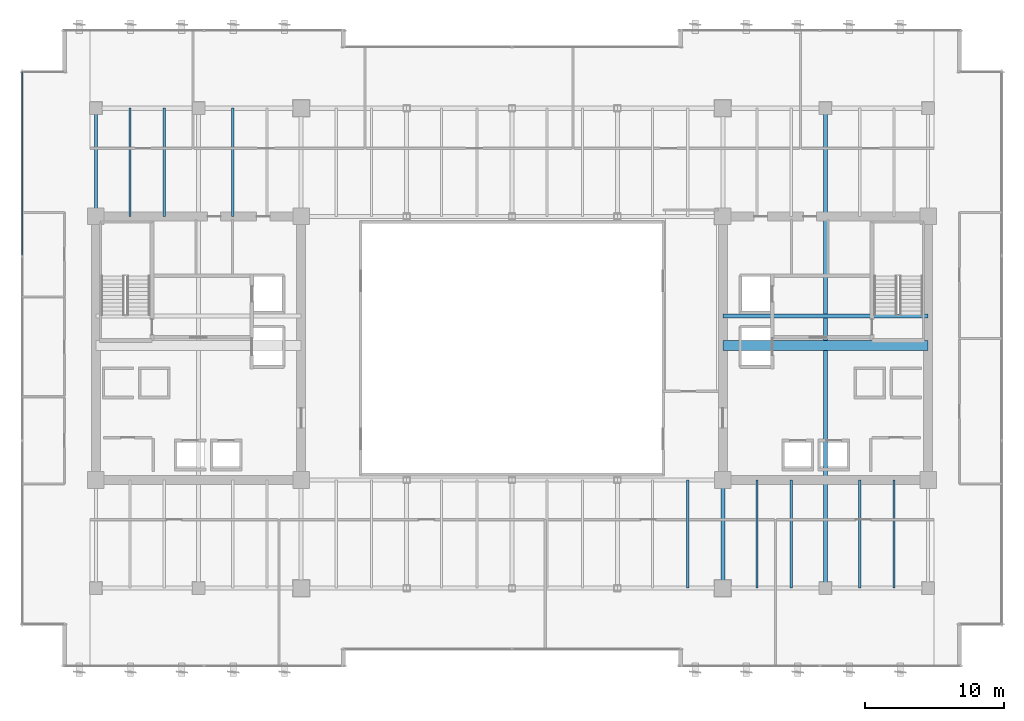
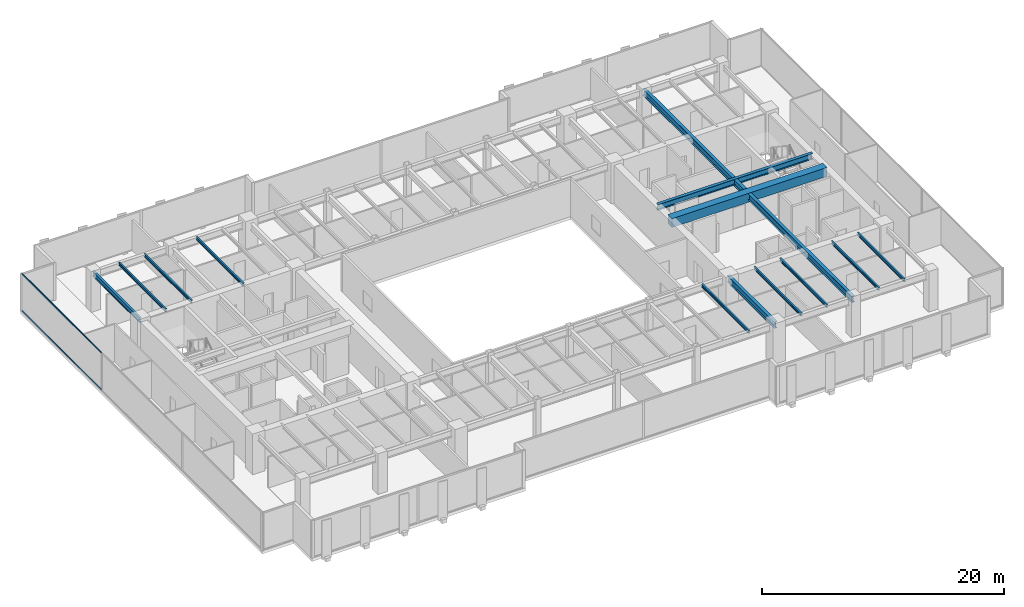
# One storey, part 13 of 34: 13 beams, 2 members, 1 element without a shape of its own.
"""IFC4 building model written with IfcOpenShell, lengths in metres."""

from ifc_helpers import new_model, si_unit, direction, frame, origin, origin_2d, place, context, subcontext, project, spatial, rectangle, hollow_rectangle, i_section, extrude, source, transform, mapped, material, layer, layer_set, material_profile, profile_set, type_object, type_shapes, element, aggregate, save


model = new_model("IFC4")

# Units and contexts
model_context = context("Model", 3, precision=1e-05, world=origin(), true_north=direction((0.0, 1.0)))
body_context = subcontext(model_context, "Body", "Model", "MODEL_VIEW")
ifc_project = project(units=[si_unit("LENGTHUNIT", "METRE"), si_unit("AREAUNIT", "SQUARE_METRE"), si_unit("VOLUMEUNIT", "CUBIC_METRE"), si_unit("PLANEANGLEUNIT", "RADIAN"), si_unit("MASSUNIT", "GRAM", prefix="KILO")], contexts=[model_context])

# Site, building, storey
site_placement = place(None, origin())
site = spatial("IfcSite", under=ifc_project, at=site_placement, CompositionType="ELEMENT")
building_placement = place(site_placement, origin())
building = spatial("IfcBuilding", under=site, at=building_placement, Name="Haelvirn Gate Laboratories", CompositionType="ELEMENT")
storey_placement = place(building_placement, frame((0.0, 0.0, 109.199951171875)))
storey = spatial("IfcBuildingStorey", under=building, at=storey_placement, Name="L26", CompositionType="ELEMENT", Elevation=109.199951171875)

# Beams
ifc_material_1 = material(Name="Concrete C60/75", Category="concrete")
ifc_material_profile_1 = material_profile(ifc_material_1, rectangle(XDim=0.699951171875, YDim=0.89990234375, at=origin_2d()), Name="RCB-700x900")
ifc_profile_set_1 = profile_set([ifc_material_profile_1], Name="Concrete C60/75")
beam_type_1 = type_object("IfcBeamType", Name="BM-RCB-900", PredefinedType="LINTEL", material=ifc_profile_set_1)
shared_shape_1 = source(origin(), body_context, "Body", "SweptSolid", [
    extrude(rectangle(XDim=0.699951171875, YDim=0.89990234375, at=origin_2d()), origin(), (0.0, 0.0, 1.0), 14.7998046875),
])
type_shapes(beam_type_1, [shared_shape_1])
beam_1_placement = place(storey_placement, frame((52.60009765625, 24.5, 3.340087890625), z_axis=(1.0, 0.0, 0.0), x_axis=(0.0, 1.0, 0.0)))
element("IfcBeam", 1, at=beam_1_placement, inside=storey, type_object=beam_type_1, Name="L26 East Core Coupling Beam", PredefinedType="LINTEL", context=body_context, shape_type="MappedRepresentation", body=[
    mapped(shared_shape_1, transform((0.0, 0.0, 0.0), scale=1.0)),
])
ifc_material_2 = material(Name="Steel SM355", Category="steel")
ifc_material_profile_2 = material_profile(ifc_material_2, i_section(OverallWidth=0.300048828125, OverallDepth=0.587890625, WebThickness=0.011962890625, FlangeThickness=0.02001953125, at=origin_2d()), Name="H-588x300x12x20")
ifc_profile_set_2 = profile_set([ifc_material_profile_2], Name="Steel SM355")
beam_type_2 = type_object("IfcBeamType", Name="BM-G-588", PredefinedType="BEAM", material=ifc_profile_set_2)
shared_shape_2 = source(origin(), body_context, "Body", "SweptSolid", [
    extrude(i_section(OverallWidth=0.300048828125, OverallDepth=0.587890625, WebThickness=0.011962890625, FlangeThickness=0.02001953125, at=origin_2d()), origin(), (0.0, 0.0, 1.0), 14.7998046875),
])
type_shapes(beam_type_2, [shared_shape_2])
beam_2_placement = place(storey_placement, frame((52.60009765625, 26.6201171875, 3.49609375), z_axis=(1.0, 0.0, 0.0), x_axis=(0.0, 1.0, 0.0)))
element("IfcBeam", 2, at=beam_2_placement, inside=storey, type_object=beam_type_2, Name="L26 Stair ST2 Landing Header", PredefinedType="BEAM", context=body_context, shape_type="MappedRepresentation", body=[
    mapped(shared_shape_2, transform((0.0, 0.0, 0.0), scale=1.0)),
])
ifc_material_profile_3 = material_profile(ifc_material_2, i_section(OverallWidth=0.199951171875, OverallDepth=0.5, WebThickness=0.010009765625, FlangeThickness=0.01611328125, at=origin_2d()), Name="H-500x200x10x16")
ifc_profile_set_3 = profile_set([ifc_material_profile_3], Name="Steel SM355")
beam_type_3 = type_object("IfcBeamType", Name="BM-SP-500", PredefinedType="SPANDREL", material=ifc_profile_set_3)
shared_shape_3 = source(origin(), body_context, "Body", "SweptSolid", [
    extrude(i_section(OverallWidth=0.199951171875, OverallDepth=0.5, WebThickness=0.010009765625, FlangeThickness=0.01611328125, at=origin_2d()), origin(), (0.0, 0.0, 1.0), 7.800048828125),
])
type_shapes(beam_type_3, [shared_shape_3])
beam_3_placement = place(storey_placement, frame((7.39990234375, 33.800048828125, 3.5400390625), z_axis=(0.0, 1.0, 0.0), x_axis=(-1.0, 0.0, 0.0)))
element("IfcBeam", 3, at=beam_3_placement, inside=storey, type_object=beam_type_3, Name="L26 Perimeter Spandrel X7.4 (33.8-41.6)", PredefinedType="SPANDREL", context=body_context, shape_type="MappedRepresentation", body=[
    mapped(shared_shape_3, transform((0.0, 0.0, 0.0), scale=1.0)),
])
ifc_material_profile_4 = material_profile(ifc_material_2, i_section(OverallWidth=0.300048828125, OverallDepth=0.64990234375, WebThickness=0.012939453125, FlangeThickness=0.02197265625, at=origin_2d()), Name="H-650x300x13x22")
ifc_profile_set_4 = profile_set([ifc_material_profile_4], Name="Steel SM355")
beam_type_4 = type_object("IfcBeamType", Name="BM-G-650", PredefinedType="BEAM", material=ifc_profile_set_4)
shared_shape_4 = source(origin(), body_context, "Body", "SweptSolid", [
    extrude(i_section(OverallWidth=0.300048828125, OverallDepth=0.64990234375, WebThickness=0.012939453125, FlangeThickness=0.02197265625, at=origin_2d()), origin(), (0.0, 0.0, 1.0), 34.60009765625),
])
beam_4_placement = place(storey_placement, frame((60.0, 7.0, 3.465087890625), z_axis=(0.0, 1.0, 0.0), x_axis=(-1.0, 0.0, 0.0)))
element("IfcBeam", 4, at=beam_4_placement, inside=storey, type_object=beam_type_4, Name="L26 Frame Girder X60.0 (7.0-41.6)", PredefinedType="BEAM", context=body_context, shape_type="MappedRepresentation", body=[
    mapped(shared_shape_4, transform((0.0, 0.0, 0.0), scale=1.0)),
])
shared_shape_5 = source(origin(), body_context, "Body", "SweptSolid", [
    extrude(i_section(OverallWidth=0.300048828125, OverallDepth=0.64990234375, WebThickness=0.012939453125, FlangeThickness=0.02197265625, at=origin_2d()), origin(), (0.0, 0.0, 1.0), 7.800048828125),
])
type_shapes(beam_type_4, [shared_shape_4, shared_shape_5])
beam_5_placement = place(storey_placement, frame((52.60009765625, 7.0, 3.465087890625), z_axis=(0.0, 1.0, 0.0), x_axis=(-1.0, 0.0, 0.0)))
element("IfcBeam", 5, at=beam_5_placement, inside=storey, type_object=beam_type_4, Name="L26 Frame Girder X52.6 (7.0-14.8)", PredefinedType="BEAM", context=body_context, shape_type="MappedRepresentation", body=[
    mapped(shared_shape_5, transform((0.0, 0.0, 0.0), scale=1.0)),
])
ifc_material_profile_5 = material_profile(ifc_material_2, i_section(OverallWidth=0.14990234375, OverallDepth=0.300048828125, WebThickness=0.006591796875, FlangeThickness=0.009033203125, at=origin_2d()), Name="H-300x150x6.5x9")
ifc_profile_set_5 = profile_set([ifc_material_profile_5], Name="Steel SM355")
beam_type_5 = type_object("IfcBeamType", Name="BM-J-300", PredefinedType="JOIST", material=ifc_profile_set_5)
shared_shape_6 = source(origin(), body_context, "Body", "SweptSolid", [
    extrude(i_section(OverallWidth=0.14990234375, OverallDepth=0.300048828125, WebThickness=0.006591796875, FlangeThickness=0.009033203125, at=origin_2d()), origin(), (0.0, 0.0, 1.0), 7.800048828125),
])
type_shapes(beam_type_5, [shared_shape_6])
for number, where, z_axis, x_axis, name in (
    (6, (9.8701171875, 33.800048828125, 3.64013671875), (0.0, 1.0, 0.0), (-1.0, 0.0, 0.0), "L26 Composite Lab Joist North X9.87"),
    (7, (12.330078125, 33.800048828125, 3.64013671875), (0.0, 1.0, 0.0), (-1.0, 0.0, 0.0), "L26 Composite Lab Joist North X12.33"),
    (8, (17.27001953125, 33.800048828125, 3.64013671875), (0.0, 1.0, 0.0), (-1.0, 0.0, 0.0), "L26 Composite Lab Joist North X17.27"),
    (9, (50.070068359375, 7.0, 3.64013671875), (0.0, 1.0, 0.0), (-1.0, 0.0, 0.0), "L26 Composite Lab Joist South X50.07"),
    (10, (55.070068359375, 7.0, 3.64013671875), (0.0, 1.0, 0.0), (-1.0, 0.0, 0.0), "L26 Composite Lab Joist South X55.07"),
    (11, (57.530029296875, 7.0, 3.64013671875), (0.0, 1.0, 0.0), (-1.0, 0.0, 0.0), "L26 Composite Lab Joist South X57.53"),
    (12, (62.469970703125, 7.0, 3.64013671875), (0.0, 1.0, 0.0), (-1.0, 0.0, 0.0), "L26 Composite Lab Joist South X62.47"),
    (13, (64.929931640625, 7.0, 3.64013671875), (0.0, 1.0, 0.0), (-1.0, 0.0, 0.0), "L26 Composite Lab Joist South X64.93"),
):
    element("IfcBeam", number, at=place(storey_placement, frame(where, z_axis=z_axis, x_axis=x_axis)), inside=storey, type_object=beam_type_5, Name=name, PredefinedType="JOIST", context=body_context, shape_type="MappedRepresentation", body=[
        mapped(shared_shape_6, transform((0.0, 0.0, 0.0), scale=1.0)),
    ])

# Curtain wall, members
ifc_material_3 = material(Name="Anodised bronze unitised aluminium & triple low-E glass", Category="aluminium")
ifc_layer = layer(ifc_material_3, 0.179931640625, Name="CW-SYS-3")
ifc_layer_set = layer_set([ifc_layer], Name="Anodised bronze unitised aluminium & triple low-E glass")
curtain_wall_type = type_object("IfcCurtainWallType", Name="CW-SYS-3", PredefinedType="NOTDEFINED", material=ifc_layer_set)
curtain_wall_placement = place(storey_placement, origin())
curtain_wall = element("IfcCurtainWall", 14, at=curtain_wall_placement, inside=storey, type_object=curtain_wall_type, Name="L26 Unitised Curtain Wall CW-L26-P0-E17", PredefinedType="NOTDEFINED")
ifc_material_4 = material(Name="Extruded aluminium 6063-T6 (anodised bronze)", Category="aluminium")
ifc_material_profile_6 = material_profile(ifc_material_4, hollow_rectangle(XDim=0.06494140625, YDim=0.139892578125, WallThickness=0.00390625, at=origin_2d()), Name="CWT-140x65x4")
ifc_profile_set_6 = profile_set([ifc_material_profile_6], Name="Extruded aluminium 6063-T6 (anodised bronze)")
member_type = type_object("IfcMemberType", Name="CWT-T140", PredefinedType="USERDEFINED", material=ifc_profile_set_6)
shared_shape_7 = source(origin(), body_context, "Body", "SweptSolid", [
    extrude(hollow_rectangle(XDim=0.06494140625, YDim=0.139892578125, WallThickness=0.00390625, at=origin_2d()), origin(), (0.0, 0.0, 1.0), 13.220947265625),
])
type_shapes(member_type, [shared_shape_7])
member_1_placement = place(storey_placement, frame((2.10009765625, 44.22509765625, 0.032470703125), z_axis=(0.0, -1.0, 0.0), x_axis=(1.0, 0.0, 0.0)))
member_1 = element("IfcMember", 15, at=member_1_placement, type_object=member_type, Name="CW3 transom 1.1", ObjectType="TRANSOM", PredefinedType="USERDEFINED", context=body_context, shape_type="MappedRepresentation", body=[
    mapped(shared_shape_7, transform((0.0, 0.0, 0.0), scale=1.0)),
])
member_2_placement = place(storey_placement, frame((2.10009765625, 44.22509765625, 3.757568359375), z_axis=(0.0, -1.0, 0.0), x_axis=(1.0, 0.0, 0.0)))
member_2 = element("IfcMember", 16, at=member_2_placement, type_object=member_type, Name="CW3 transom 1.2", ObjectType="TRANSOM", PredefinedType="USERDEFINED", context=body_context, shape_type="MappedRepresentation", body=[
    mapped(shared_shape_7, transform((0.0, 0.0, 0.0), scale=1.0)),
])
aggregate(curtain_wall, [member_1, member_2])

save(model, "model.ifc")
